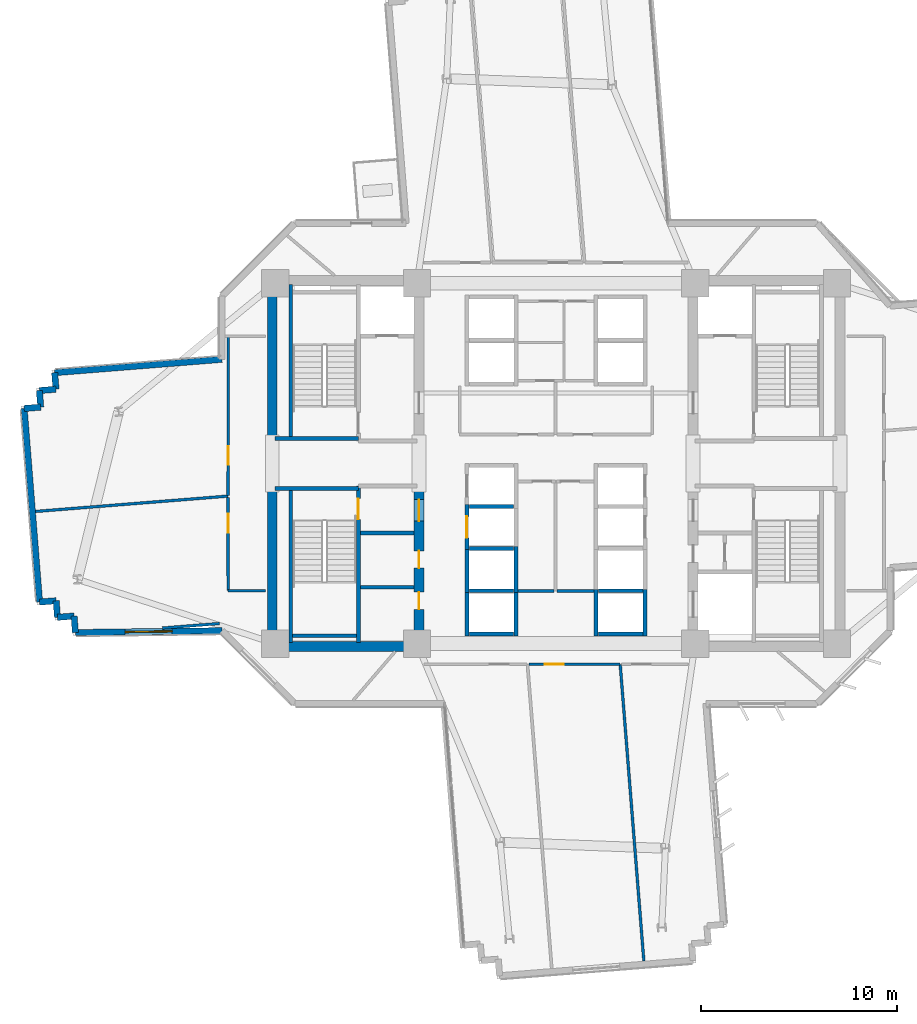
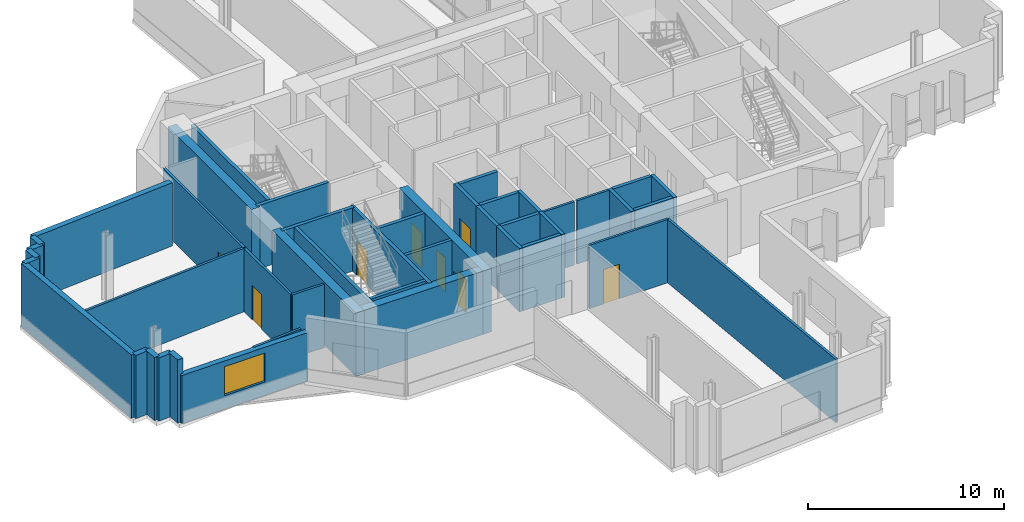
# One storey, part 6 of 15: 45 walls, 8 doors, 1 window, 9 openings.
"""IFC4 building model written with IfcOpenShell, lengths in metres."""

import ifcopenshell
import ifcopenshell.guid

model = None  # the IFC model being written
_history = None  # IfcOwnerHistory: only IFC2X3 demands one
_inside = {}  # id of a spatial element -> (the spatial element, [elements in it])
_under = {}  # id of a project, library or spatial element -> (it, [spatial elements below it])
_declared = {}  # id of a project -> (the project, [libraries it declares])
_typed = {}  # id of a type object -> (the type object, [elements of that type])
_made_of = {}  # id of a material, layer set ... -> (it, [elements and type objects made of it])


def new_model(schema):
    """Start an empty IFC model of exactly this schema.

    Asked for "IFC4X3", IfcOpenShell would pick the latest addendum, in which some entities
    have other attributes; the version numbers below select the first issue.
    IFC2X3 requires an IfcOwnerHistory on every rooted entity: one is made here for all.
    """
    global model, _history
    if schema == "IFC4X3":
        model = ifcopenshell.file(schema_version=(4, 3, 0, 0))
    else:
        model = ifcopenshell.file(schema=schema)
    _inside.clear()
    _under.clear()
    _declared.clear()
    _typed.clear()
    _made_of.clear()
    _history = None
    if model.schema == "IFC2X3":
        org = make("IfcOrganization", Name="unknown")
        user = make(
            "IfcPersonAndOrganization",
            ThePerson=make("IfcPerson", FamilyName="unknown"),
            TheOrganization=org,
        )
        app = make(
            "IfcApplication",
            ApplicationDeveloper=org,
            Version="unknown",
            ApplicationFullName="unknown",
            ApplicationIdentifier="unknown",
        )
        _history = make(
            "IfcOwnerHistory",
            OwningUser=user,
            OwningApplication=app,
            ChangeAction="ADDED",
            CreationDate=0,
        )
    return model


def make(cls, **values):
    """One entity of the class cls with the attributes given. An attribute that is None is left unset."""
    return model.create_entity(
        cls, **{name: value for name, value in values.items() if value is not None}
    )


def rooted(cls, **values):
    """An entity with a GlobalId (a new one), such as an element, a storey or a relation."""
    return make(cls, GlobalId=ifcopenshell.guid.new(), OwnerHistory=_history, **values)


def si_unit(unit_type, name, prefix=None):
    """IfcSIUnit, for example si_unit("LENGTHUNIT", "METRE", prefix="MILLI")."""
    return make("IfcSIUnit", UnitType=unit_type, Prefix=prefix, Name=name)


def assignment(units):
    """IfcUnitAssignment: the units of a project."""
    return None if units is None else make("IfcUnitAssignment", Units=units)


def point(xyz):
    """IfcCartesianPoint."""
    return None if xyz is None else make("IfcCartesianPoint", Coordinates=xyz)


def direction(xyz):
    """IfcDirection."""
    return None if xyz is None else make("IfcDirection", DirectionRatios=xyz)


def frame(location, z_axis=None, x_axis=None):
    """IfcAxis2Placement3D, a coordinate frame: its origin and axes. An axis left out is left unset."""
    return make(
        "IfcAxis2Placement3D",
        Location=point(location),
        Axis=direction(z_axis),
        RefDirection=direction(x_axis),
    )


def frame_2d(location, x_axis=None):
    """IfcAxis2Placement2D, a coordinate frame in the plane: its origin and x axis."""
    return make(
        "IfcAxis2Placement2D", Location=point(location), RefDirection=direction(x_axis)
    )


def origin():
    """The frame at (0, 0, 0) with its axes left unset."""
    return frame((0.0, 0.0, 0.0))


def place(relative_to, where):
    """IfcLocalPlacement: puts the frame where relative to a parent placement (None: the world)."""
    return make(
        "IfcLocalPlacement", PlacementRelTo=relative_to, RelativePlacement=where
    )


def context(
    kind, dimensions, precision=None, world=None, true_north=None, identifier=None
):
    """IfcGeometricRepresentationContext, for example the 3D "Model" context."""
    return make(
        "IfcGeometricRepresentationContext",
        ContextIdentifier=identifier,
        ContextType=kind,
        CoordinateSpaceDimension=dimensions,
        Precision=precision,
        WorldCoordinateSystem=world,
        TrueNorth=true_north,
    )


def subcontext(parent, identifier, kind, view, scale=None):
    """IfcGeometricRepresentationSubContext, for example "Body" below "Model"."""
    return make(
        "IfcGeometricRepresentationSubContext",
        ContextIdentifier=identifier,
        ContextType=kind,
        ParentContext=parent,
        TargetScale=scale,
        TargetView=view,
    )


def project(units=None, contexts=None):
    """IfcProject with its units and contexts."""
    return rooted(
        "IfcProject",
        Name="project",
        RepresentationContexts=contexts,
        UnitsInContext=assignment(units),
    )


def spatial(cls, under=None, at=None, **own):
    """A site, building, storey or space (cls), placed at a placement, below another one or the project."""
    s = rooted(cls, ObjectPlacement=at, **own)
    if under is not None:
        _under.setdefault(under.id(), (under, []))[1].append(s)
    return s


def profile(cls, at=None, kind="AREA", **sizes):
    """A parametric profile (cls). Its sizes go by their IFC names, for example OverallWidth=200.0."""
    return make(cls, ProfileType=kind, Position=at, **sizes)


def rectangle(**sizes):
    """IfcRectangleProfileDef."""
    return profile("IfcRectangleProfileDef", **sizes)


def extrude(swept, where, along, depth):
    """IfcExtrudedAreaSolid: the profile swept, set in the frame where, extruded along a direction by depth."""
    return make(
        "IfcExtrudedAreaSolid",
        SweptArea=swept,
        Position=where,
        ExtrudedDirection=direction(along),
        Depth=depth,
    )


def shape(context_of_items, identifier, shape_type, items):
    """IfcShapeRepresentation: the items that make up one representation, for example the "Body"."""
    return make(
        "IfcShapeRepresentation",
        ContextOfItems=context_of_items,
        RepresentationIdentifier=identifier,
        RepresentationType=shape_type,
        Items=items,
    )


def source(mapping_origin, context_of_items, identifier, shape_type, items):
    """IfcRepresentationMap: a shape defined once, which mapped items show again and again."""
    return make(
        "IfcRepresentationMap",
        MappingOrigin=mapping_origin,
        MappedRepresentation=shape(context_of_items, identifier, shape_type, items),
    )


def transform(
    local_origin,
    x_axis=None,
    y_axis=None,
    z_axis=None,
    scale=None,
    scale2=None,
    scale3=None,
    uniform=True,
):
    """IfcCartesianTransformationOperator3D, or its non-uniform kind. x_axis, y_axis, z_axis: its Axis1, 2, 3."""
    if uniform:
        return make(
            "IfcCartesianTransformationOperator3D",
            Axis1=direction(x_axis),
            Axis2=direction(y_axis),
            LocalOrigin=point(local_origin),
            Scale=scale,
            Axis3=direction(z_axis),
        )
    return make(
        "IfcCartesianTransformationOperator3DnonUniform",
        Axis1=direction(x_axis),
        Axis2=direction(y_axis),
        LocalOrigin=point(local_origin),
        Scale=scale,
        Axis3=direction(z_axis),
        Scale2=scale2,
        Scale3=scale3,
    )


def mapped(mapping_source, mapping_target):
    """IfcMappedItem: shows the shape of a source again, moved by a transform."""
    return make(
        "IfcMappedItem", MappingSource=mapping_source, MappingTarget=mapping_target
    )


def material(Name=None, Category=None):
    """IfcMaterial."""
    return make("IfcMaterial", Name=Name, Category=Category)


def layer(
    of_material, thickness, ventilated=None, Name=None, Category=None, Priority=None
):
    """IfcMaterialLayer: one layer of a wall or slab, of a material (None: an air gap)."""
    return make(
        "IfcMaterialLayer",
        Material=of_material,
        LayerThickness=thickness,
        IsVentilated=ventilated,
        Name=Name,
        Category=Category,
        Priority=Priority,
    )


def layer_set(layers, Name=None):
    """IfcMaterialLayerSet."""
    return make("IfcMaterialLayerSet", MaterialLayers=layers, LayerSetName=Name)


def made_of(thing, what):
    """Note that an element or type object is made of a material, layer set ...; save() writes the relation."""
    if what is not None:
        _made_of.setdefault(what.id(), (what, []))[1].append(thing)
    return thing


def type_object(cls, material=None, **own):
    """A type object (cls), such as IfcWallType, which elements share."""
    return made_of(rooted(cls, **own), material)


def element(
    cls,
    number,
    at=None,
    inside=None,
    cuts=None,
    type_object=None,
    material=None,
    context=None,
    identifier="Body",
    shape_type=None,
    held_by="IfcProductDefinitionShape",
    body=None,
    shapes=None,
    **own,
):
    """One element of the class cls, such as IfcWall. Its Tag is "e" and its number.

    at: its placement. inside: the storey or other place that contains it. cuts: it is an
    opening in that element (IfcRelVoidsElement). A single representation is given by context,
    identifier, shape_type and body (its items); several are given by shapes. held_by: the class
    of the entity that holds the representations. save() writes the other relations.
    """
    e = rooted(cls, Tag="e%d" % number, ObjectPlacement=at, **own)
    if body is not None:
        shapes = [shape(context, identifier, shape_type, body)]
    if shapes is not None:
        e.Representation = make(held_by, Representations=shapes)
    if inside is not None:
        _inside.setdefault(inside.id(), (inside, []))[1].append(e)
    if cuts is not None:
        rooted(
            "IfcRelVoidsElement", RelatingBuildingElement=cuts, RelatedOpeningElement=e
        )
    if type_object is not None:
        _typed.setdefault(type_object.id(), (type_object, []))[1].append(e)
    return made_of(e, material)


def fill(opening, filler):
    """IfcRelFillsElement: the door or window that sits in an opening."""
    return rooted(
        "IfcRelFillsElement",
        RelatingOpeningElement=opening,
        RelatedBuildingElement=filler,
    )


def aggregate(whole, parts):
    """IfcRelAggregates: a whole, such as a stair, and the parts it consists of."""
    return rooted("IfcRelAggregates", RelatingObject=whole, RelatedObjects=parts)


def save(model, path):
    """Write the relations noted so far, then the file.

    IfcRelAggregates (storeys below a building ...), IfcRelContainedInSpatialStructure (elements
    in a storey), IfcRelDefinesByType, IfcRelAssociatesMaterial and IfcRelDeclares: one each for
    every whole, place, type object, material and project.
    """
    for whole, parts in _under.values():
        aggregate(whole, parts)
    for where, things in _inside.values():
        rooted(
            "IfcRelContainedInSpatialStructure",
            RelatedElements=things,
            RelatingStructure=where,
        )
    for kind, things in _typed.values():
        rooted("IfcRelDefinesByType", RelatedObjects=things, RelatingType=kind)
    for what, things in _made_of.values():
        rooted("IfcRelAssociatesMaterial", RelatedObjects=things, RelatingMaterial=what)
    for by, libraries in _declared.values():
        rooted("IfcRelDeclares", RelatingContext=by, RelatedDefinitions=libraries)
    model.write(path)


model = new_model("IFC4")

# Units and contexts
model_context = context("Model", 3, precision=1e-05, world=origin(), true_north=direction((0.0, 1.0)))
body_context = subcontext(model_context, "Body", "Model", "MODEL_VIEW")
ifc_project = project(units=[si_unit("LENGTHUNIT", "METRE"), si_unit("AREAUNIT", "SQUARE_METRE"), si_unit("VOLUMEUNIT", "CUBIC_METRE"), si_unit("PLANEANGLEUNIT", "RADIAN"), si_unit("MASSUNIT", "GRAM", prefix="KILO")], contexts=[model_context])

# Site, building, storey
site_placement = place(None, origin())
site = spatial("IfcSite", under=ifc_project, at=site_placement, CompositionType="ELEMENT")
building_placement = place(site_placement, origin())
building = spatial("IfcBuilding", under=site, at=building_placement, Name="Zahravan Cultural Tower", CompositionType="ELEMENT")
storey_placement = place(building_placement, frame((0.0, 0.0, 79.5)))
storey = spatial("IfcBuildingStorey", under=building, at=storey_placement, Name="L17", CompositionType="ELEMENT", Elevation=79.5)

# Wall, openings, doors
ifc_material_1 = material(Name="Concrete C60/75", Category="concrete")
ifc_layer_1 = layer(ifc_material_1, 0.5)
ifc_layer_set_1 = layer_set([ifc_layer_1], Name="Concrete C60/75")
wall_type_1 = type_object("IfcWallType", Name="CW-SHEAR-500-C60", PredefinedType="SHEAR", material=ifc_layer_set_1)
wall_1_placement = place(storey_placement, frame((29.0, 17.39990234375, 0.0), z_axis=(0.0, 0.0, 1.0), x_axis=(0.0, 1.0, 0.0)))
wall_1 = element("IfcWall", 1, at=wall_1_placement, inside=storey, type_object=wall_type_1, Name="L17 Core Shear Wall CW-W-ES-L17", PredefinedType="SHEAR", context=body_context, shape_type="SweptSolid", body=[
    extrude(rectangle(XDim=8.550048828125, YDim=0.5, at=frame_2d((4.27490234375, 0.0))), origin(), (0.0, 0.0, 1.0), 3.949951171875),
])
opening_1_placement = place(wall_1_placement, frame((6.64990234375, 0.0, 0.0)))
opening_1 = element("IfcOpeningElement", 2, at=opening_1_placement, cuts=wall_1, Name="Opening D-L17-07", PredefinedType="OPENING", context=body_context, shape_type="SweptSolid", body=[
    extrude(rectangle(XDim=1.10009765625, YDim=2.199951171875, at=frame_2d((0.550048828125, 1.10009765625))), frame((0.0, 0.260009765625, 0.0), z_axis=(0.0, -1.0, 0.0), x_axis=(1.0, 0.0, 0.0)), (0.0, 0.0, 1.0), 0.52001953125),
])
opening_2_placement = place(wall_1_placement, frame((2.14990234375, 0.0, 0.0)))
opening_2 = element("IfcOpeningElement", 3, at=opening_2_placement, cuts=wall_1, Name="Opening D-L17-09", PredefinedType="OPENING", context=body_context, shape_type="SweptSolid", body=[
    extrude(rectangle(XDim=0.8798828125, YDim=2.10009765625, at=frame_2d((0.43994140625, 1.050048828125))), frame((0.0, 0.260009765625, 0.0), z_axis=(0.0, -1.0, 0.0), x_axis=(1.0, 0.0, 0.0)), (0.0, 0.0, 1.0), 0.52001953125),
])
opening_3_placement = place(wall_1_placement, frame((4.25, 0.0, 0.0)))
opening_3 = element("IfcOpeningElement", 4, at=opening_3_placement, cuts=wall_1, Name="Opening D-L17-10", PredefinedType="OPENING", context=body_context, shape_type="SweptSolid", body=[
    extrude(rectangle(XDim=0.8798828125, YDim=2.10009765625, at=frame_2d((0.43994140625, 1.050048828125))), frame((0.0, 0.260009765625, 0.0), z_axis=(0.0, -1.0, 0.0), x_axis=(1.0, 0.0, 0.0)), (0.0, 0.0, 1.0), 0.52001953125),
])
ifc_material_2 = material(Name="Steel ASTM A572 Grade 50", Category="steel")
door_type_1 = type_object("IfcDoorType", Name="DR-LOBBY-1100", OperationType="NOTDEFINED", PredefinedType="DOOR", material=ifc_material_2)
shared_shape_1 = source(origin(), body_context, "Body", "SweptSolid", [
    extrude(rectangle(XDim=1.10009765625, YDim=2.199951171875, at=frame_2d((0.550048828125, 1.10009765625))), frame((0.0, 0.02490234375, 0.0), z_axis=(0.0, -1.0, 0.0), x_axis=(1.0, 0.0, 0.0)), (0.0, 0.0, 1.0), 0.050048828125),
])
door_1_placement = place(opening_1_placement, origin())
door_1 = element("IfcDoor", 5, at=door_1_placement, inside=storey, type_object=door_type_1, Name="L17 Door D-L17-07", OperationType="SINGLE_SWING_LEFT", OverallHeight=2.199951171875, OverallWidth=1.10009765625, PredefinedType="DOOR", context=body_context, shape_type="MappedRepresentation", body=[
    mapped(shared_shape_1, transform((0.0, 0.0, 0.0), x_axis=(1.0, 0.0, 0.0), y_axis=(0.0, 1.0, 0.0), z_axis=(0.0, 0.0, 1.0), scale=1.0)),
])
fill(opening_1, door_1)
door_type_2 = type_object("IfcDoorType", Name="DR-SVC-880", OperationType="NOTDEFINED", PredefinedType="DOOR", material=ifc_material_2)
shared_shape_2 = source(origin(), body_context, "Body", "SweptSolid", [
    extrude(rectangle(XDim=0.8798828125, YDim=2.10009765625, at=frame_2d((0.43994140625, 1.050048828125))), frame((0.0, 0.02490234375, 0.0), z_axis=(0.0, -1.0, 0.0), x_axis=(1.0, 0.0, 0.0)), (0.0, 0.0, 1.0), 0.050048828125),
])
door_2_placement = place(opening_2_placement, origin())
door_2 = element("IfcDoor", 6, at=door_2_placement, inside=storey, type_object=door_type_2, Name="L17 Door D-L17-09", OperationType="SINGLE_SWING_LEFT", OverallHeight=2.10009765625, OverallWidth=0.8798828125, PredefinedType="DOOR", context=body_context, shape_type="MappedRepresentation", body=[
    mapped(shared_shape_2, transform((0.0, 0.0, 0.0), x_axis=(1.0, 0.0, 0.0), y_axis=(0.0, 1.0, 0.0), z_axis=(0.0, 0.0, 1.0), scale=1.0)),
])
fill(opening_2, door_2)
door_3_placement = place(opening_3_placement, origin())
door_3 = element("IfcDoor", 7, at=door_3_placement, inside=storey, type_object=door_type_2, Name="L17 Door D-L17-10", OperationType="SINGLE_SWING_RIGHT", OverallHeight=2.10009765625, OverallWidth=0.8798828125, PredefinedType="DOOR", context=body_context, shape_type="MappedRepresentation", body=[
    mapped(shared_shape_2, transform((0.0, 0.0, 0.0), x_axis=(1.0, 0.0, 0.0), y_axis=(0.0, 1.0, 0.0), z_axis=(0.0, 0.0, 1.0), scale=1.0)),
])
fill(opening_3, door_3)

# Wall, opening, window
ifc_material_3 = material(Name="Precast concrete C40/50", Category="concrete")
ifc_layer_2 = layer(ifc_material_3, 0.320068359375)
ifc_layer_set_2 = layer_set([ifc_layer_2], Name="Precast concrete C40/50")
wall_type_2 = type_object("IfcWallType", Name="EW-TC-320", PredefinedType="SOLIDWALL", material=ifc_layer_set_2)
wall_2_placement = place(storey_placement, frame((18.93994140625, 18.4580078125, 0.0), z_axis=(0.0, 0.0, 1.0), x_axis=(-0.999915877143, -0.012970683759, 0.0)))
wall_2 = element("IfcWall", 8, at=wall_2_placement, inside=storey, type_object=wall_type_2, Name="L17 Exterior Masonry Frame Wall 27", PredefinedType="SOLIDWALL", context=body_context, shape_type="SweptSolid", body=[
    extrude(rectangle(XDim=7.491455078125, YDim=0.320068359375, at=frame_2d((3.74560546875, 0.0))), origin(), (0.0, 0.0, 1.0), 3.010009765625),
])
opening_4_placement = place(wall_2_placement, frame((2.5458984375, 0.0, 0.85009765625)))
opening_4 = element("IfcOpeningElement", 9, at=opening_4_placement, cuts=wall_2, Name="Opening WN-01", PredefinedType="OPENING", context=body_context, shape_type="SweptSolid", body=[
    extrude(rectangle(XDim=2.39990234375, YDim=1.800048828125, at=frame_2d((1.199951171875, 0.89990234375))), frame((0.0, 0.169921875, 0.0), z_axis=(0.0, -1.0, 0.0), x_axis=(1.0, 0.0, 0.0)), (0.0, 0.0, 1.0), 0.340087890625),
])
ifc_material_4 = material(Name="Low-E solar-control double glazing", Category="glass")
window_type = type_object("IfcWindowType", Name="WN-REC-2400X1800", PartitioningType="DOUBLE_PANEL_VERTICAL", PredefinedType="WINDOW", material=ifc_material_4)
shared_shape_3 = source(origin(), body_context, "Body", "SweptSolid", [
    extrude(rectangle(XDim=2.39990234375, YDim=1.800048828125, at=frame_2d((1.199951171875, 0.89990234375))), frame((0.0, 0.030029296875, 0.0), z_axis=(0.0, -1.0, 0.0), x_axis=(1.0, 0.0, 0.0)), (0.0, 0.0, 1.0), 0.06005859375),
])
window_placement = place(opening_4_placement, origin())
window = element("IfcWindow", 10, at=window_placement, inside=storey, type_object=window_type, Name="L17 Recessed Solar Window 08", OverallHeight=1.800048828125, OverallWidth=2.39990234375, PartitioningType="DOUBLE_PANEL_VERTICAL", PredefinedType="WINDOW", context=body_context, shape_type="MappedRepresentation", body=[
    mapped(shared_shape_3, transform((0.0, 0.0, 0.0), x_axis=(1.0, 0.0, 0.0), y_axis=(0.0, 1.0, 0.0), z_axis=(0.0, 0.0, 1.0), scale=1.0)),
])
fill(opening_4, window)

# Wall, opening, door
ifc_material_5 = material(Name="Gypsum plasterboard partition")
ifc_layer_3 = layer(ifc_material_5, 0.139892578125)
ifc_layer_set_3 = layer_set([ifc_layer_3], Name="Gypsum plasterboard partition")
wall_type_3 = type_object("IfcWallType", Name="W-PART-140", PredefinedType="PARTITIONING", material=ifc_layer_set_3)
wall_3_placement = place(storey_placement, frame((34.6162109375, 16.739990234375, 0.0), z_axis=(0.0, 0.0, 1.0), x_axis=(1.0, 0.0, 0.0)))
wall_3 = element("IfcWall", 11, at=wall_3_placement, inside=storey, type_object=wall_type_3, Name="L17 Interior Wall 089", PredefinedType="PARTITIONING", context=body_context, shape_type="SweptSolid", body=[
    extrude(rectangle(XDim=4.659912109375, YDim=0.139892578125, at=frame_2d((2.330078125, 0.0))), origin(), (0.0, 0.0, 1.0), 3.949951171875),
])
opening_5_placement = place(wall_3_placement, frame((0.816162109375, 0.0, 0.0)))
opening_5 = element("IfcOpeningElement", 12, at=opening_5_placement, cuts=wall_3, Name="Opening D-L17-27", PredefinedType="OPENING", context=body_context, shape_type="SweptSolid", body=[
    extrude(rectangle(XDim=0.949951171875, YDim=2.14990234375, at=frame_2d((0.47509765625, 1.074951171875))), frame((0.0, 0.079833984375, 0.0), z_axis=(0.0, -1.0, 0.0), x_axis=(1.0, 0.0, 0.0)), (0.0, 0.0, 1.0), 0.159912109375),
])
ifc_material_6 = material(Name="Anodised bronze-aluminium mullion", Category="aluminium")
door_type_3 = type_object("IfcDoorType", Name="DR-ROOM-950", OperationType="NOTDEFINED", PredefinedType="DOOR", material=ifc_material_6)
shared_shape_4 = source(origin(), body_context, "Body", "SweptSolid", [
    extrude(rectangle(XDim=0.949951171875, YDim=2.14990234375, at=frame_2d((0.47509765625, 1.074951171875))), frame((0.0, 0.02490234375, 0.0), z_axis=(0.0, -1.0, 0.0), x_axis=(1.0, 0.0, 0.0)), (0.0, 0.0, 1.0), 0.050048828125),
])
door_4_placement = place(opening_5_placement, origin())
door_4 = element("IfcDoor", 13, at=door_4_placement, inside=storey, type_object=door_type_3, Name="L17 Door D-L17-27", OperationType="SINGLE_SWING_LEFT", OverallHeight=2.14990234375, OverallWidth=0.949951171875, PredefinedType="DOOR", context=body_context, shape_type="MappedRepresentation", body=[
    mapped(shared_shape_4, transform((0.0, 0.0, 0.0), x_axis=(1.0, 0.0, 0.0), y_axis=(0.0, 1.0, 0.0), z_axis=(0.0, 0.0, 1.0), scale=1.0)),
])
fill(opening_5, door_4)

wall_4_placement = place(storey_placement, frame((19.25, 25.2578125, 0.0), z_axis=(0.0, 0.0, 1.0), x_axis=(0.000102701037, -0.999999994726, 0.0)))
wall_4 = element("IfcWall", 14, at=wall_4_placement, inside=storey, type_object=wall_type_3, Name="L17 Interior Wall 108", PredefinedType="PARTITIONING", context=body_context, shape_type="SweptSolid", body=[
    extrude(rectangle(XDim=4.75439453125, YDim=0.139892578125, at=frame_2d((2.377197265625, 0.0))), origin(), (0.0, 0.0, 1.0), 3.949951171875),
])
opening_6_placement = place(wall_4_placement, frame((0.8369140625, 0.0, 0.0)))
opening_6 = element("IfcOpeningElement", 15, at=opening_6_placement, cuts=wall_4, Name="Opening D-L17-25", PredefinedType="OPENING", context=body_context, shape_type="SweptSolid", body=[
    extrude(rectangle(XDim=0.949951171875, YDim=2.14990234375, at=frame_2d((0.47509765625, 1.074951171875))), frame((0.0, 0.079833984375, 0.0), z_axis=(0.0, -1.0, 0.0), x_axis=(1.0, 0.0, 0.0)), (0.0, 0.0, 1.0), 0.159912109375),
])
door_5_placement = place(opening_6_placement, origin())
door_5 = element("IfcDoor", 16, at=door_5_placement, inside=storey, type_object=door_type_3, Name="L17 Door D-L17-25", OperationType="SINGLE_SWING_LEFT", OverallHeight=2.14990234375, OverallWidth=0.949951171875, PredefinedType="DOOR", context=body_context, shape_type="MappedRepresentation", body=[
    mapped(shared_shape_4, transform((0.0, 0.0, 0.0), x_axis=(1.0, 0.0, 0.0), y_axis=(0.0, 1.0, 0.0), z_axis=(0.0, 0.0, 1.0), scale=1.0)),
])
fill(opening_6, door_5)

wall_5_placement = place(storey_placement, frame((19.252685546875, 33.497314453125, 0.0), z_axis=(0.0, 0.0, 1.0), x_axis=(-0.000329746078, -0.999999945634, 0.0)))
wall_5 = element("IfcWall", 17, at=wall_5_placement, inside=storey, type_object=wall_type_3, Name="L17 Interior Wall 110", PredefinedType="PARTITIONING", context=body_context, shape_type="SweptSolid", body=[
    extrude(rectangle(XDim=8.144287109375, YDim=0.139892578125, at=frame_2d((4.072265625, 0.0))), origin(), (0.0, 0.0, 1.0), 3.949951171875),
])
opening_7_placement = place(wall_5_placement, frame((5.611328125, 0.0, 0.0)))
opening_7 = element("IfcOpeningElement", 18, at=opening_7_placement, cuts=wall_5, Name="Opening D-L17-24", PredefinedType="OPENING", context=body_context, shape_type="SweptSolid", body=[
    extrude(rectangle(XDim=0.949951171875, YDim=2.14990234375, at=frame_2d((0.47509765625, 1.074951171875))), frame((0.0, 0.079833984375, 0.0), z_axis=(0.0, -1.0, 0.0), x_axis=(1.0, 0.0, 0.0)), (0.0, 0.0, 1.0), 0.159912109375),
])
door_6_placement = place(opening_7_placement, origin())
door_6 = element("IfcDoor", 19, at=door_6_placement, inside=storey, type_object=door_type_3, Name="L17 Door D-L17-24", OperationType="SINGLE_SWING_RIGHT", OverallHeight=2.14990234375, OverallWidth=0.949951171875, PredefinedType="DOOR", context=body_context, shape_type="MappedRepresentation", body=[
    mapped(shared_shape_4, transform((0.0, 0.0, 0.0), x_axis=(1.0, 0.0, 0.0), y_axis=(0.0, 1.0, 0.0), z_axis=(0.0, 0.0, 1.0), scale=1.0)),
])
fill(opening_7, door_6)

ifc_material_7 = material(Name="Concrete C45/55", Category="concrete")
ifc_layer_4 = layer(ifc_material_7, 0.199951171875)
ifc_layer_set_4 = layer_set([ifc_layer_4], Name="Concrete C45/55")
wall_type_4 = type_object("IfcWallType", Name="W-SHAFT-200", PredefinedType="SOLIDWALL", material=ifc_layer_set_4)
wall_6_placement = place(storey_placement, frame((25.89990234375, 17.85009765625, 0.0), z_axis=(0.0, 0.0, 1.0), x_axis=(0.0, 1.0, 0.0)))
wall_6 = element("IfcWall", 20, at=wall_6_placement, inside=storey, type_object=wall_type_4, Name="L17 Interior Wall 005", PredefinedType="SOLIDWALL", context=body_context, shape_type="SweptSolid", body=[
    extrude(rectangle(XDim=8.0, YDim=0.199951171875, at=frame_2d((4.0, 0.0))), origin(), (0.0, 0.0, 1.0), 3.949951171875),
])
opening_8_placement = place(wall_6_placement, frame((6.300048828125, 0.0, 0.0)))
opening_8 = element("IfcOpeningElement", 21, at=opening_8_placement, cuts=wall_6, Name="Opening D-L17-04", PredefinedType="OPENING", context=body_context, shape_type="SweptSolid", body=[
    extrude(rectangle(XDim=1.050048828125, YDim=2.14990234375, at=frame_2d((0.52490234375, 1.074951171875))), frame((0.0, 0.10986328125, 0.0), z_axis=(0.0, -1.0, 0.0), x_axis=(1.0, 0.0, 0.0)), (0.0, 0.0, 1.0), 0.219970703125),
])
door_type_4 = type_object("IfcDoorType", Name="DR-STAIR-1050", OperationType="NOTDEFINED", PredefinedType="DOOR", material=ifc_material_2)
shared_shape_5 = source(origin(), body_context, "Body", "SweptSolid", [
    extrude(rectangle(XDim=1.050048828125, YDim=2.14990234375, at=frame_2d((0.52490234375, 1.074951171875))), frame((0.0, 0.02490234375, 0.0), z_axis=(0.0, -1.0, 0.0), x_axis=(1.0, 0.0, 0.0)), (0.0, 0.0, 1.0), 0.050048828125),
])
door_7_placement = place(opening_8_placement, origin())
door_7 = element("IfcDoor", 22, at=door_7_placement, inside=storey, type_object=door_type_4, Name="L17 Door D-L17-04", OperationType="SINGLE_SWING_RIGHT", OverallHeight=2.14990234375, OverallWidth=1.050048828125, PredefinedType="DOOR", context=body_context, shape_type="MappedRepresentation", body=[
    mapped(shared_shape_5, transform((0.0, 0.0, 0.0), x_axis=(1.0, 0.0, 0.0), y_axis=(0.0, 1.0, 0.0), z_axis=(0.0, 0.0, 1.0), scale=1.0)),
])
fill(opening_8, door_7)

wall_7_placement = place(storey_placement, frame((31.449951171875, 22.60009765625, 0.0), z_axis=(0.0, 0.0, 1.0), x_axis=(0.0, 1.0, 0.0)))
wall_7 = element("IfcWall", 23, at=wall_7_placement, inside=storey, type_object=wall_type_4, Name="L17 Interior Wall 060", PredefinedType="SOLIDWALL", context=body_context, shape_type="SweptSolid", body=[
    extrude(rectangle(XDim=2.2998046875, YDim=0.199951171875, at=frame_2d((1.14990234375, 0.0))), origin(), (0.0, 0.0, 1.0), 3.949951171875),
])
opening_9_placement = place(wall_7_placement, frame((0.60009765625, 0.0, 0.0)))
opening_9 = element("IfcOpeningElement", 24, at=opening_9_placement, cuts=wall_7, Name="Opening LD-L17-05", PredefinedType="OPENING", context=body_context, shape_type="SweptSolid", body=[
    extrude(rectangle(XDim=1.10009765625, YDim=2.14990234375, at=frame_2d((0.550048828125, 1.074951171875))), frame((0.0, 0.10986328125, 0.0), z_axis=(0.0, -1.0, 0.0), x_axis=(1.0, 0.0, 0.0)), (0.0, 0.0, 1.0), 0.219970703125),
])
door_type_5 = type_object("IfcDoorType", Name="DR-LIFT-1100", OperationType="DOUBLE_DOOR_SLIDING", PredefinedType="DOOR", material=ifc_material_2)
shared_shape_6 = source(origin(), body_context, "Body", "SweptSolid", [
    extrude(rectangle(XDim=1.10009765625, YDim=2.14990234375, at=frame_2d((0.550048828125, 1.074951171875))), frame((0.0, 0.02490234375, 0.0), z_axis=(0.0, -1.0, 0.0), x_axis=(1.0, 0.0, 0.0)), (0.0, 0.0, 1.0), 0.050048828125),
])
door_8_placement = place(opening_9_placement, origin())
door_8 = element("IfcDoor", 25, at=door_8_placement, inside=storey, type_object=door_type_5, Name="L17 Door LD-L17-05", OperationType="DOUBLE_DOOR_SLIDING", OverallHeight=2.14990234375, OverallWidth=1.10009765625, PredefinedType="DOOR", context=body_context, shape_type="MappedRepresentation", body=[
    mapped(shared_shape_6, transform((0.0, 0.0, 0.0), x_axis=(1.0, 0.0, 0.0), y_axis=(0.0, 1.0, 0.0), z_axis=(0.0, 0.0, 1.0), scale=1.0)),
])
fill(opening_9, door_8)

# Walls
shared_shape_7 = source(origin(), body_context, "Body", "SweptSolid", [
    extrude(rectangle(XDim=8.550048828125, YDim=0.5, at=frame_2d((4.27490234375, 0.0))), origin(), (0.0, 0.0, 1.0), 3.949951171875),
])
for number, where, z_axis, x_axis, name in (
    (26, (21.5, 17.39990234375, 0.0), (0.0, 0.0, 1.0), (0.0, 1.0, 0.0), "L17 Core Shear Wall CW-W-WS-L17"),
    (27, (21.5, 28.050048828125, 0.0), (0.0, 0.0, 1.0), (0.0, 1.0, 0.0), "L17 Core Shear Wall CW-W-WN-L17"),
):
    element("IfcWall", number, at=place(storey_placement, frame(where, z_axis=z_axis, x_axis=x_axis)), inside=storey, type_object=wall_type_1, Name=name, PredefinedType="SHEAR", context=body_context, shape_type="MappedRepresentation", body=[
        mapped(shared_shape_7, transform((0.0, 0.0, 0.0), x_axis=(1.0, 0.0, 0.0), y_axis=(0.0, 1.0, 0.0), z_axis=(0.0, 0.0, 1.0), scale=1.0)),
    ])
shared_shape_8 = source(origin(), body_context, "Body", "SweptSolid", [
    extrude(rectangle(XDim=7.0, YDim=0.5, at=frame_2d((3.5, 0.0))), origin(), (0.0, 0.0, 1.0), 3.949951171875),
])
wall_8_placement = place(storey_placement, frame((21.75, 17.64990234375, 0.0), z_axis=(0.0, 0.0, 1.0), x_axis=(1.0, 0.0, 0.0)))
element("IfcWall", 28, at=wall_8_placement, inside=storey, type_object=wall_type_1, Name="L17 Core Shear Wall CW-W-S-L17", PredefinedType="SHEAR", context=body_context, shape_type="MappedRepresentation", body=[
    mapped(shared_shape_8, transform((0.0, 0.0, 0.0), x_axis=(1.0, 0.0, 0.0), y_axis=(0.0, 1.0, 0.0), z_axis=(0.0, 0.0, 1.0), scale=1.0)),
])
shared_shape_9 = source(origin(), body_context, "Body", "SweptSolid", [
    extrude(rectangle(XDim=0.849853515625, YDim=0.320068359375, at=frame_2d((0.4248046875, 0.0))), origin(), (0.0, 0.0, 1.0), 3.949951171875),
])
for number, where, z_axis, x_axis, name in (
    (29, (11.44921875, 18.36083984375, 0.0), (0.0, 0.0, 1.0), (-0.079573954853, 0.996828965123, 0.0), "L17 Exterior Masonry Frame Wall 28"),
    (30, (10.466552734375, 19.98779296875, 0.0), (0.0, 0.0, 1.0), (-0.996851711541, -0.079288493483, 0.0), "L17 Exterior Masonry Frame Wall 31"),
    (31, (8.830810546875, 29.808837890625, 0.0), (0.0, 0.0, 1.0), (0.996828965123, 0.079573954853, 0.0), "L17 Exterior Masonry Frame Wall 33"),
):
    element("IfcWall", number, at=place(storey_placement, frame(where, z_axis=z_axis, x_axis=x_axis)), inside=storey, type_object=wall_type_2, Name=name, PredefinedType="SOLIDWALL", context=body_context, shape_type="MappedRepresentation", body=[
        mapped(shared_shape_9, transform((0.0, 0.0, 0.0), x_axis=(1.0, 0.0, 0.0), y_axis=(0.0, 1.0, 0.0), z_axis=(0.0, 0.0, 1.0), scale=1.0)),
    ])
shared_shape_10 = source(origin(), body_context, "Body", "SweptSolid", [
    extrude(rectangle(XDim=0.85009765625, YDim=0.320068359375, at=frame_2d((0.425048828125, 0.0))), origin(), (0.0, 0.0, 1.0), 3.949951171875),
])
for number, where, z_axis, x_axis, name in (
    (32, (11.381591796875, 19.2080078125, 0.0), (0.0, 0.0, 1.0), (-0.996830783344, -0.079551174585, 0.0), "L17 Exterior Masonry Frame Wall 29"),
    (33, (10.5341796875, 19.140380859375, 0.0), (0.0, 0.0, 1.0), (-0.079551174585, 0.996830783344, 0.0), "L17 Exterior Masonry Frame Wall 30"),
    (34, (9.677978515625, 29.87646484375, 0.0), (0.0, 0.0, 1.0), (-0.079551174585, 0.996830783344, 0.0), "L17 Exterior Masonry Frame Wall 34"),
    (35, (9.6103515625, 30.723876953125, 0.0), (0.0, 0.0, 1.0), (0.99685351678, 0.079265793901, 0.0), "L17 Exterior Masonry Frame Wall 35"),
    (36, (10.457763671875, 30.791259765625, 0.0), (0.0, 0.0, 1.0), (-0.079551174585, 0.996830783344, 0.0), "L17 Exterior Masonry Frame Wall 36"),
):
    element("IfcWall", number, at=place(storey_placement, frame(where, z_axis=z_axis, x_axis=x_axis)), inside=storey, type_object=wall_type_2, Name=name, PredefinedType="SOLIDWALL", context=body_context, shape_type="MappedRepresentation", body=[
        mapped(shared_shape_10, transform((0.0, 0.0, 0.0), x_axis=(1.0, 0.0, 0.0), y_axis=(0.0, 1.0, 0.0), z_axis=(0.0, 0.0, 1.0), scale=1.0)),
    ])
shared_shape_11 = source(origin(), body_context, "Body", "SweptSolid", [
    extrude(rectangle(XDim=9.919921875, YDim=0.320068359375, at=frame_2d((4.9599609375, 0.0))), origin(), (0.0, 0.0, 1.0), 3.949951171875),
])
wall_9_placement = place(storey_placement, frame((9.619384765625, 19.92041015625, 0.0), z_axis=(0.0, 0.0, 1.0), x_axis=(-0.07949480177, 0.996835280521, 0.0)))
element("IfcWall", 37, at=wall_9_placement, inside=storey, type_object=wall_type_2, Name="L17 Exterior Masonry Frame Wall 32", PredefinedType="SOLIDWALL", context=body_context, shape_type="MappedRepresentation", body=[
    mapped(shared_shape_11, transform((0.0, 0.0, 0.0), x_axis=(1.0, 0.0, 0.0), y_axis=(0.0, 1.0, 0.0), z_axis=(0.0, 0.0, 1.0), scale=1.0)),
])
shared_shape_12 = source(origin(), body_context, "Body", "SweptSolid", [
    extrude(rectangle(XDim=8.576904296875, YDim=0.320068359375, at=frame_2d((4.28857421875, 0.0))), origin(), (0.0, 0.0, 1.0), 3.949951171875),
])
wall_10_placement = place(storey_placement, frame((10.39013671875, 31.638671875, 0.0), z_axis=(0.0, 0.0, 1.0), x_axis=(0.996834708052, 0.07950198, 0.0)))
element("IfcWall", 38, at=wall_10_placement, inside=storey, type_object=wall_type_2, Name="L17 Exterior Masonry Frame Wall 37", PredefinedType="SOLIDWALL", context=body_context, shape_type="MappedRepresentation", body=[
    mapped(shared_shape_12, transform((0.0, 0.0, 0.0), x_axis=(1.0, 0.0, 0.0), y_axis=(0.0, 1.0, 0.0), z_axis=(0.0, 0.0, 1.0), scale=1.0)),
])
shared_shape_13 = source(origin(), body_context, "Body", "SweptSolid", [
    extrude(rectangle(XDim=7.869873046875, YDim=0.199951171875, at=frame_2d((3.93505859375, 0.0))), origin(), (0.0, 0.0, 1.0), 3.949951171875),
])
for number, where, z_axis, x_axis, name in (
    (39, (22.449951171875, 17.85009765625, 0.0), (0.0, 0.0, 1.0), (0.0, 1.0, 0.0), "L17 Interior Wall 001"),
    (40, (22.449951171875, 28.280029296875, 0.0), (0.0, 0.0, 1.0), (0.0, 1.0, 0.0), "L17 Interior Wall 002"),
):
    element("IfcWall", number, at=place(storey_placement, frame(where, z_axis=z_axis, x_axis=x_axis)), inside=storey, type_object=wall_type_4, Name=name, PredefinedType="SOLIDWALL", context=body_context, shape_type="MappedRepresentation", body=[
        mapped(shared_shape_13, transform((0.0, 0.0, 0.0), x_axis=(1.0, 0.0, 0.0), y_axis=(0.0, 1.0, 0.0), z_axis=(0.0, 0.0, 1.0), scale=1.0)),
    ])
shared_shape_14 = source(origin(), body_context, "Body", "SweptSolid", [
    extrude(rectangle(XDim=4.25, YDim=0.199951171875, at=frame_2d((2.125, 0.0))), origin(), (0.0, 0.0, 1.0), 3.949951171875),
])
for number, where, z_axis, x_axis, name in (
    (41, (21.64990234375, 25.715087890625, 0.0), (0.0, 0.0, 1.0), (1.0, 0.0, 0.0), "L17 Interior Wall 009"),
    (42, (21.64990234375, 28.284912109375, 0.0), (0.0, 0.0, 1.0), (1.0, 0.0, 0.0), "L17 Interior Wall 011"),
):
    element("IfcWall", number, at=place(storey_placement, frame(where, z_axis=z_axis, x_axis=x_axis)), inside=storey, type_object=wall_type_4, Name=name, PredefinedType="SOLIDWALL", context=body_context, shape_type="MappedRepresentation", body=[
        mapped(shared_shape_14, transform((0.0, 0.0, 0.0), x_axis=(1.0, 0.0, 0.0), y_axis=(0.0, 1.0, 0.0), z_axis=(0.0, 0.0, 1.0), scale=1.0)),
    ])
shared_shape_15 = source(origin(), body_context, "Body", "SweptSolid", [
    extrude(rectangle(XDim=3.25, YDim=0.199951171875, at=frame_2d((1.625, 0.0))), origin(), (0.0, 0.0, 1.0), 3.949951171875),
])
wall_11_placement = place(storey_placement, frame((22.550048828125, 18.199951171875, 0.0), z_axis=(0.0, 0.0, 1.0), x_axis=(1.0, 0.0, 0.0)))
element("IfcWall", 43, at=wall_11_placement, inside=storey, type_object=wall_type_4, Name="L17 Interior Wall 019", PredefinedType="SOLIDWALL", context=body_context, shape_type="MappedRepresentation", body=[
    mapped(shared_shape_15, transform((0.0, 0.0, 0.0), x_axis=(1.0, 0.0, 0.0), y_axis=(0.0, 1.0, 0.0), z_axis=(0.0, 0.0, 1.0), scale=1.0)),
])
shared_shape_16 = source(origin(), body_context, "Body", "SweptSolid", [
    extrude(rectangle(XDim=2.75, YDim=0.199951171875, at=frame_2d((1.375, 0.0))), origin(), (0.0, 0.0, 1.0), 3.949951171875),
])
wall_12_placement = place(storey_placement, frame((26.0, 23.449951171875, 0.0), z_axis=(0.0, 0.0, 1.0), x_axis=(1.0, 0.0, 0.0)))
element("IfcWall", 44, at=wall_12_placement, inside=storey, type_object=wall_type_4, Name="L17 Interior Wall 023", PredefinedType="SOLIDWALL", context=body_context, shape_type="MappedRepresentation", body=[
    mapped(shared_shape_16, transform((0.0, 0.0, 0.0), x_axis=(1.0, 0.0, 0.0), y_axis=(0.0, 1.0, 0.0), z_axis=(0.0, 0.0, 1.0), scale=1.0)),
])
shared_shape_17 = source(origin(), body_context, "Body", "SweptSolid", [
    extrude(rectangle(XDim=2.260009765625, YDim=0.199951171875, at=frame_2d((1.1298828125, 0.0))), origin(), (0.0, 0.0, 1.0), 3.949951171875),
])
for number, where, z_axis, x_axis, name in (
    (45, (31.570068359375, 20.5, 0.0), (0.0, 0.0, 1.0), (1.0, 0.0, 0.0), "L17 Interior Wall 044"),
    (46, (31.570068359375, 22.64990234375, 0.0), (0.0, 0.0, 1.0), (1.0, 0.0, 0.0), "L17 Interior Wall 045"),
    (47, (31.570068359375, 18.300048828125, 0.0), (0.0, 0.0, 1.0), (1.0, 0.0, 0.0), "L17 Interior Wall 048"),
    (48, (38.169921875, 20.5, 0.0), (0.0, 0.0, 1.0), (1.0, 0.0, 0.0), "L17 Interior Wall 051"),
    (49, (38.169921875, 18.300048828125, 0.0), (0.0, 0.0, 1.0), (1.0, 0.0, 0.0), "L17 Interior Wall 055"),
    (50, (31.570068359375, 24.800048828125, 0.0), (0.0, 0.0, 1.0), (1.0, 0.0, 0.0), "L17 Interior Wall 058"),
):
    element("IfcWall", number, at=place(storey_placement, frame(where, z_axis=z_axis, x_axis=x_axis)), inside=storey, type_object=wall_type_4, Name=name, PredefinedType="SOLIDWALL", context=body_context, shape_type="MappedRepresentation", body=[
        mapped(shared_shape_17, transform((0.0, 0.0, 0.0), x_axis=(1.0, 0.0, 0.0), y_axis=(0.0, 1.0, 0.0), z_axis=(0.0, 0.0, 1.0), scale=1.0)),
    ])
shared_shape_18 = source(origin(), body_context, "Body", "SweptSolid", [
    extrude(rectangle(XDim=2.35009765625, YDim=0.199951171875, at=frame_2d((1.175048828125, 0.0))), origin(), (0.0, 0.0, 1.0), 3.949951171875),
])
for number, where, z_axis, x_axis, name in (
    (51, (31.449951171875, 20.39990234375, 0.0), (0.0, 0.0, 1.0), (0.0, 1.0, 0.0), "L17 Interior Wall 042"),
    (52, (33.949951171875, 20.39990234375, 0.0), (0.0, 0.0, 1.0), (0.0, 1.0, 0.0), "L17 Interior Wall 043"),
    (53, (31.449951171875, 18.199951171875, 0.0), (0.0, 0.0, 1.0), (0.0, 1.0, 0.0), "L17 Interior Wall 046"),
    (54, (33.949951171875, 18.199951171875, 0.0), (0.0, 0.0, 1.0), (0.0, 1.0, 0.0), "L17 Interior Wall 047"),
    (55, (38.050048828125, 18.199951171875, 0.0), (0.0, 0.0, 1.0), (0.0, 1.0, 0.0), "L17 Interior Wall 053"),
    (56, (40.550048828125, 18.199951171875, 0.0), (0.0, 0.0, 1.0), (0.0, 1.0, 0.0), "L17 Interior Wall 054"),
):
    element("IfcWall", number, at=place(storey_placement, frame(where, z_axis=z_axis, x_axis=x_axis)), inside=storey, type_object=wall_type_4, Name=name, PredefinedType="SOLIDWALL", context=body_context, shape_type="MappedRepresentation", body=[
        mapped(shared_shape_18, transform((0.0, 0.0, 0.0), x_axis=(1.0, 0.0, 0.0), y_axis=(0.0, 1.0, 0.0), z_axis=(0.0, 0.0, 1.0), scale=1.0)),
    ])
ifc_layer_5 = layer(ifc_material_5, 0.179931640625)
ifc_layer_set_5 = layer_set([ifc_layer_5], Name="Gypsum plasterboard partition")
wall_type_5 = type_object("IfcWallType", Name="W-COMP-180", PredefinedType="PARTITIONING", material=ifc_layer_set_5)
shared_shape_19 = source(origin(), body_context, "Body", "SweptSolid", [
    extrude(rectangle(XDim=2.75, YDim=0.179931640625, at=frame_2d((1.375, 0.0))), origin(), (0.0, 0.0, 1.0), 3.949951171875),
])
wall_13_placement = place(storey_placement, frame((26.0, 20.679931640625, 0.0), z_axis=(0.0, 0.0, 1.0), x_axis=(1.0, 0.0, 0.0)))
element("IfcWall", 57, at=wall_13_placement, inside=storey, type_object=wall_type_5, Name="L17 Interior Wall 026", PredefinedType="PARTITIONING", context=body_context, shape_type="MappedRepresentation", body=[
    mapped(shared_shape_19, transform((0.0, 0.0, 0.0), x_axis=(1.0, 0.0, 0.0), y_axis=(0.0, 1.0, 0.0), z_axis=(0.0, 0.0, 1.0), scale=1.0)),
])
shared_shape_20 = source(origin(), body_context, "Body", "SweptSolid", [
    extrude(rectangle(XDim=1.840087890625, YDim=0.139892578125, at=frame_2d((0.919921875, 0.0))), origin(), (0.0, 0.0, 1.0), 3.949951171875),
])
wall_14_placement = place(storey_placement, frame((35.89501953125, 20.489990234375, 0.0), z_axis=(0.0, 0.0, 1.0), x_axis=(-1.0, 0.0, 0.0)))
element("IfcWall", 58, at=wall_14_placement, inside=storey, type_object=wall_type_3, Name="L17 Interior Wall 077", PredefinedType="PARTITIONING", context=body_context, shape_type="MappedRepresentation", body=[
    mapped(shared_shape_20, transform((0.0, 0.0, 0.0), x_axis=(1.0, 0.0, 0.0), y_axis=(0.0, 1.0, 0.0), z_axis=(0.0, 0.0, 1.0), scale=1.0)),
])
shared_shape_21 = source(origin(), body_context, "Body", "SweptSolid", [
    extrude(rectangle(XDim=1.900146484375, YDim=0.139892578125, at=frame_2d((0.9501953125, 0.0))), origin(), (0.0, 0.0, 1.0), 3.949951171875),
])
wall_15_placement = place(storey_placement, frame((37.945068359375, 20.489990234375, 0.0), z_axis=(0.0, 0.0, 1.0), x_axis=(-1.0, 0.0, 0.0)))
element("IfcWall", 59, at=wall_15_placement, inside=storey, type_object=wall_type_3, Name="L17 Interior Wall 079", PredefinedType="PARTITIONING", context=body_context, shape_type="MappedRepresentation", body=[
    mapped(shared_shape_21, transform((0.0, 0.0, 0.0), x_axis=(1.0, 0.0, 0.0), y_axis=(0.0, 1.0, 0.0), z_axis=(0.0, 0.0, 1.0), scale=1.0)),
])
shared_shape_22 = source(origin(), body_context, "Body", "SweptSolid", [
    extrude(rectangle(XDim=15.20703125, YDim=0.139892578125, at=frame_2d((7.603515625, 0.0))), origin(), (0.0, 0.0, 1.0), 3.949951171875),
])
wall_16_placement = place(storey_placement, frame((39.276123046875, 16.739990234375, 0.0), z_axis=(0.0, 0.0, 1.0), x_axis=(0.07950146843, -0.996834748851, 0.0)))
element("IfcWall", 60, at=wall_16_placement, inside=storey, type_object=wall_type_3, Name="L17 Interior Wall 090", PredefinedType="PARTITIONING", context=body_context, shape_type="MappedRepresentation", body=[
    mapped(shared_shape_22, transform((0.0, 0.0, 0.0), x_axis=(1.0, 0.0, 0.0), y_axis=(0.0, 1.0, 0.0), z_axis=(0.0, 0.0, 1.0), scale=1.0)),
])
shared_shape_23 = source(origin(), body_context, "Body", "SweptSolid", [
    extrude(rectangle(XDim=9.865478515625, YDim=0.139892578125, at=frame_2d((4.9326171875, 0.0))), origin(), (0.0, 0.0, 1.0), 3.949951171875),
])
wall_17_placement = place(storey_placement, frame((9.415771484375, 24.548583984375, 0.0), z_axis=(0.0, 0.0, 1.0), x_axis=(0.996833900052, 0.079512110446, 0.0)))
element("IfcWall", 61, at=wall_17_placement, inside=storey, type_object=wall_type_3, Name="L17 Interior Wall 107", PredefinedType="PARTITIONING", context=body_context, shape_type="MappedRepresentation", body=[
    mapped(shared_shape_23, transform((0.0, 0.0, 0.0), x_axis=(1.0, 0.0, 0.0), y_axis=(0.0, 1.0, 0.0), z_axis=(0.0, 0.0, 1.0), scale=1.0)),
])
shared_shape_24 = source(origin(), body_context, "Body", "SweptSolid", [
    extrude(rectangle(XDim=2.920654296875, YDim=0.139892578125, at=frame_2d((1.46044921875, 0.0))), origin(), (0.0, 0.0, 1.0), 3.010009765625),
])
wall_18_placement = place(storey_placement, frame((18.802734375, 18.824951171875, 0.0), z_axis=(0.0, 0.0, 1.0), x_axis=(-0.996855023767, -0.079246839625, 0.0)))
element("IfcWall", 62, at=wall_18_placement, inside=storey, type_object=wall_type_3, Name="L17 Interior Wall 106", PredefinedType="PARTITIONING", context=body_context, shape_type="MappedRepresentation", body=[
    mapped(shared_shape_24, transform((0.0, 0.0, 0.0), x_axis=(1.0, 0.0, 0.0), y_axis=(0.0, 1.0, 0.0), z_axis=(0.0, 0.0, 1.0), scale=1.0)),
])
shared_shape_25 = source(origin(), body_context, "Body", "SweptSolid", [
    extrude(rectangle(XDim=1.89892578125, YDim=0.139892578125, at=frame_2d((0.949462890625, 0.0))), origin(), (0.0, 0.0, 1.0), 3.949951171875),
])
wall_19_placement = place(storey_placement, frame((19.25048828125, 20.50341796875, 0.0), z_axis=(0.0, 0.0, 1.0), x_axis=(0.999999991735, 0.000128567754, 0.0)))
element("IfcWall", 63, at=wall_19_placement, inside=storey, type_object=wall_type_3, Name="L17 Interior Wall 109", PredefinedType="PARTITIONING", context=body_context, shape_type="MappedRepresentation", body=[
    mapped(shared_shape_25, transform((0.0, 0.0, 0.0), x_axis=(1.0, 0.0, 0.0), y_axis=(0.0, 1.0, 0.0), z_axis=(0.0, 0.0, 1.0), scale=1.0)),
])

save(model, "model.ifc")
